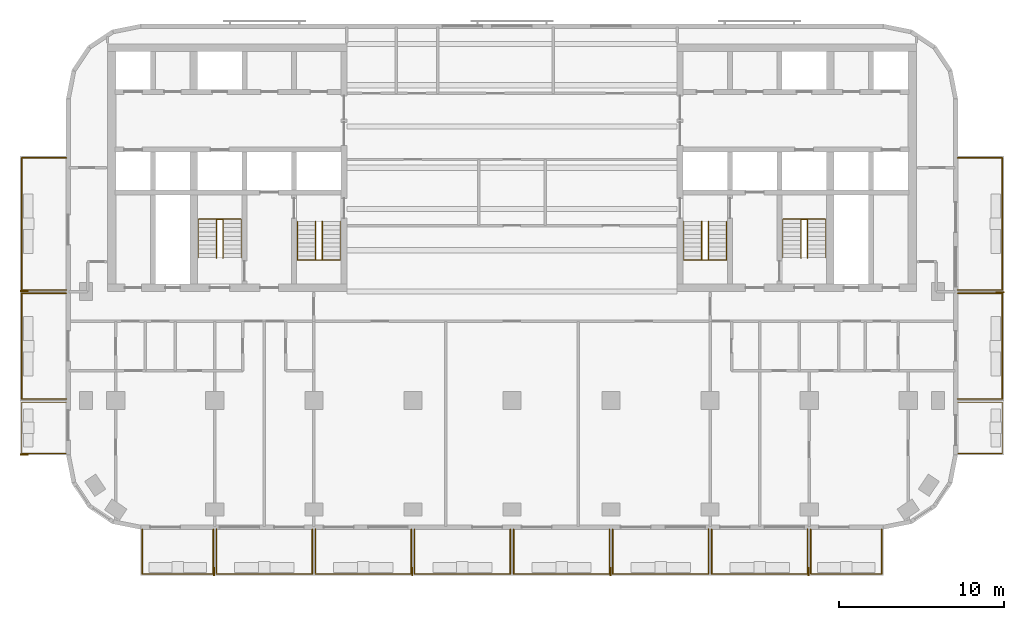
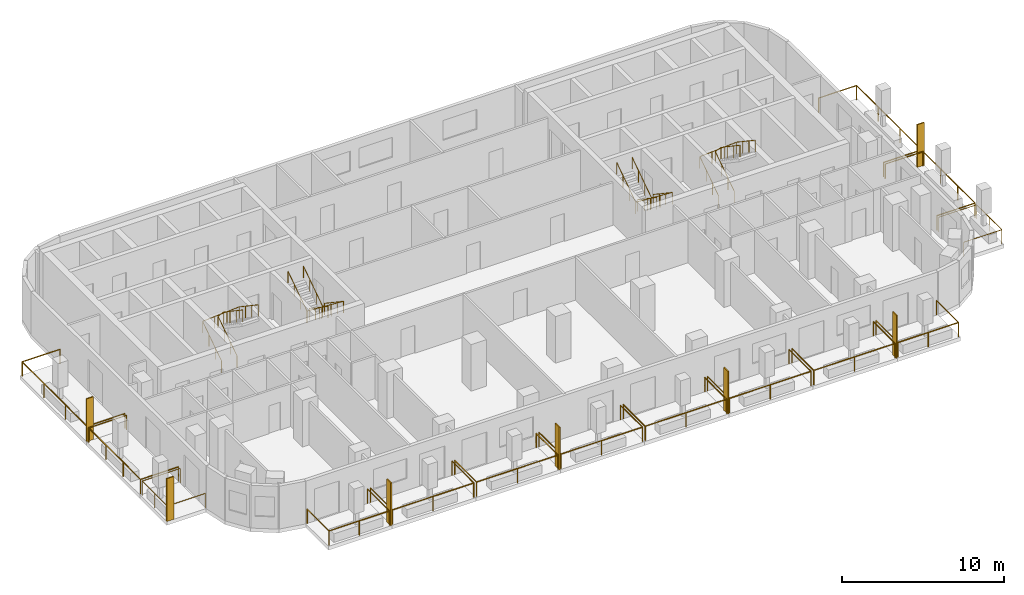
# One storey, part 9 of 11: 22 railings, 7 shading devices.
"""IFC4 building model written with IfcOpenShell, lengths in metres."""

from ifc_helpers import new_model, si_unit, direction, frame, origin, origin_2d, place, context, subcontext, project, spatial, rectangle, circle, extrude, material, layer, layer_set, type_object, element, save


model = new_model("IFC4")

# Units and contexts
model_context = context("Model", 3, precision=1e-05, world=origin(), true_north=direction((0.0, 1.0)))
body_context = subcontext(model_context, "Body", "Model", "MODEL_VIEW")
ifc_project = project(units=[si_unit("LENGTHUNIT", "METRE"), si_unit("AREAUNIT", "SQUARE_METRE"), si_unit("VOLUMEUNIT", "CUBIC_METRE"), si_unit("PLANEANGLEUNIT", "RADIAN"), si_unit("MASSUNIT", "GRAM", prefix="KILO")], contexts=[model_context])

# Site, building, storey
site_placement = place(None, origin())
site = spatial("IfcSite", under=ifc_project, at=site_placement, CompositionType="ELEMENT")
building_placement = place(site_placement, origin())
building = spatial("IfcBuilding", under=site, at=building_placement, Name="Torana Hotel and Residences", CompositionType="ELEMENT")
storey_placement = place(building_placement, frame((0.0, 0.0, 187.10009765625)))
storey = spatial("IfcBuildingStorey", under=building, at=storey_placement, Name="L48", CompositionType="ELEMENT", Elevation=187.10009765625)

# Shading devices
ifc_material_1 = material(Name="Black powder coated aluminium", Category="aluminium")
ifc_layer = layer(ifc_material_1, 0.080078125)
ifc_layer_set = layer_set([ifc_layer], Name="FN1 VERTICAL FIN 500x80")
shading_device_type = type_object("IfcShadingDeviceType", Name="FN1 VERTICAL FIN 500x80", PredefinedType="USERDEFINED", material=ifc_layer_set)
for number, where, z_axis, x_axis, name in (
    (1, (-18.0400390625, -31.949951171875, 0.0), (0.0, 0.0, 1.0), (-1.0, 0.0, 0.0), "Fin 01"),
    (2, (-6.0400390625, -31.949951171875, 0.0), (0.0, 0.0, 1.0), (-1.0, 0.0, 0.0), "Fin 03"),
    (3, (5.9599609375, -31.949951171875, 0.0), (0.0, 0.0, 1.0), (-1.0, 0.0, 0.0), "Fin 05"),
    (4, (17.9599609375, -31.949951171875, 0.0), (0.0, 0.0, 1.0), (-1.0, 0.0, 0.0), "Fin 07"),
    (5, (-29.550048828125, -24.860107421875, 0.0), (0.0, 0.0, 1.0), (0.0, 1.0, 0.0), "Fin 09"),
    (6, (-29.550048828125, -14.9599609375, 0.0), (0.0, 0.0, 1.0), (0.0, 1.0, 0.0), "Fin 11"),
    (7, (29.550048828125, -15.0400390625, 0.0), (0.0, 0.0, 1.0), (0.0, -1.0, 0.0), "Fin 13"),
):
    element("IfcShadingDevice", number, at=place(storey_placement, frame(where, z_axis=z_axis, x_axis=x_axis)), inside=storey, type_object=shading_device_type, Name=name, ObjectType="FIN", PredefinedType="USERDEFINED", context=body_context, shape_type="SweptSolid", body=[
        extrude(rectangle(XDim=0.080078125, YDim=0.5, at=origin_2d()), origin(), (0.0, 0.0, 1.0), 3.219970703125),
    ])

# Railings
ifc_material_2 = material(Name="Laminated glass balustrade with black handrail", Category="glass")
railing_type_1 = type_object("IfcRailingType", Name="GR1 BALCONY GUARD 1100 GLASS", PredefinedType="GUARDRAIL", material=ifc_material_2)
railing_1_placement = place(storey_placement, frame((-18.10009765625, -29.39990234375, 0.0)))
element("IfcRailing", 8, at=railing_1_placement, inside=storey, type_object=railing_type_1, Name="Balcony guard 01", PredefinedType="GUARDRAIL", context=body_context, shape_type="SweptSolid", body=[
    extrude(circle(Radius=0.02392578125, at=origin_2d()), frame((0.0, 0.0, 1.076171875), z_axis=(0.0, -1.0, 0.0), x_axis=(1.0, 0.0, 0.0)), (0.0, 0.0, 1.0), 2.7001953125),
    extrude(circle(Radius=0.02392578125, at=origin_2d()), frame((0.0, -2.7001953125, 1.076171875), z_axis=(-1.0, 0.0, 0.0), x_axis=(0.0, -1.0, 0.0)), (0.0, 0.0, 1.0), 4.2998046875),
    extrude(circle(Radius=0.02392578125, at=origin_2d()), frame((-4.2998046875, -2.7001953125, 1.076171875), z_axis=(0.0, 1.0, 0.0), x_axis=(-1.0, 0.0, 0.0)), (0.0, 0.0, 1.0), 2.7001953125),
    extrude(circle(Radius=0.02099609375, at=origin_2d()), origin(), (0.0, 0.0, 1.0), 1.052001953125),
    extrude(circle(Radius=0.02099609375, at=origin_2d()), frame((0.0, -2.7001953125, 0.0)), (0.0, 0.0, 1.0), 1.052001953125),
    extrude(circle(Radius=0.02099609375, at=origin_2d()), frame((-2.14990234375, -2.7001953125, 0.0)), (0.0, 0.0, 1.0), 1.052001953125),
    extrude(circle(Radius=0.02099609375, at=origin_2d()), frame((-4.2998046875, -2.7001953125, 0.0)), (0.0, 0.0, 1.0), 1.052001953125),
    extrude(circle(Radius=0.02099609375, at=origin_2d()), frame((-4.2998046875, 0.0, 0.0)), (0.0, 0.0, 1.0), 1.052001953125),
])
for number, where, name in (
    (9, (-12.10009765625, -29.39990234375, 0.0), "Balcony guard 02"),
    (10, (-6.10009765625, -29.39990234375, 0.0), "Balcony guard 03"),
    (11, (-0.10009765625, -29.39990234375, 0.0), "Balcony guard 04"),
    (12, (5.89990234375, -29.39990234375, 0.0), "Balcony guard 05"),
    (13, (11.89990234375, -29.39990234375, 0.0), "Balcony guard 06"),
    (14, (17.89990234375, -29.39990234375, 0.0), "Balcony guard 07"),
):
    element("IfcRailing", number, at=place(storey_placement, frame(where)), inside=storey, type_object=railing_type_1, Name=name, PredefinedType="GUARDRAIL", context=body_context, shape_type="SweptSolid", body=[
        extrude(circle(Radius=0.02392578125, at=origin_2d()), frame((0.0, 0.0, 1.076171875), z_axis=(0.0, -1.0, 0.0), x_axis=(1.0, 0.0, 0.0)), (0.0, 0.0, 1.0), 2.7001953125),
        extrude(circle(Radius=0.02392578125, at=origin_2d()), frame((0.0, -2.7001953125, 1.076171875), z_axis=(-1.0, 0.0, 0.0), x_axis=(0.0, -1.0, 0.0)), (0.0, 0.0, 1.0), 5.7998046875),
        extrude(circle(Radius=0.02392578125, at=origin_2d()), frame((-5.7998046875, -2.7001953125, 1.076171875), z_axis=(0.0, 1.0, 0.0), x_axis=(-1.0, 0.0, 0.0)), (0.0, 0.0, 1.0), 2.7001953125),
        extrude(circle(Radius=0.02099609375, at=origin_2d()), origin(), (0.0, 0.0, 1.0), 1.052001953125),
        extrude(circle(Radius=0.02099609375, at=origin_2d()), frame((0.0, -2.7001953125, 0.0)), (0.0, 0.0, 1.0), 1.052001953125),
        extrude(circle(Radius=0.02099609375, at=origin_2d()), frame((-2.89990234375, -2.7001953125, 0.0)), (0.0, 0.0, 1.0), 1.052001953125),
        extrude(circle(Radius=0.02099609375, at=origin_2d()), frame((-5.7998046875, -2.7001953125, 0.0)), (0.0, 0.0, 1.0), 1.052001953125),
        extrude(circle(Radius=0.02099609375, at=origin_2d()), frame((-5.7998046875, 0.0, 0.0)), (0.0, 0.0, 1.0), 1.052001953125),
    ])
railing_2_placement = place(storey_placement, frame((22.39990234375, -29.39990234375, 0.0)))
element("IfcRailing", 15, at=railing_2_placement, inside=storey, type_object=railing_type_1, Name="Balcony guard 08", PredefinedType="GUARDRAIL", context=body_context, shape_type="SweptSolid", body=[
    extrude(circle(Radius=0.02392578125, at=origin_2d()), frame((0.0, 0.0, 1.076171875), z_axis=(0.0, -1.0, 0.0), x_axis=(1.0, 0.0, 0.0)), (0.0, 0.0, 1.0), 2.7001953125),
    extrude(circle(Radius=0.02392578125, at=origin_2d()), frame((0.0, -2.7001953125, 1.076171875), z_axis=(-1.0, 0.0, 0.0), x_axis=(0.0, -1.0, 0.0)), (0.0, 0.0, 1.0), 4.2998046875),
    extrude(circle(Radius=0.02392578125, at=origin_2d()), frame((-4.2998046875, -2.7001953125, 1.076171875), z_axis=(0.0, 1.0, 0.0), x_axis=(-1.0, 0.0, 0.0)), (0.0, 0.0, 1.0), 2.7001953125),
    extrude(circle(Radius=0.02099609375, at=origin_2d()), origin(), (0.0, 0.0, 1.0), 1.052001953125),
    extrude(circle(Radius=0.02099609375, at=origin_2d()), frame((0.0, -2.7001953125, 0.0)), (0.0, 0.0, 1.0), 1.052001953125),
    extrude(circle(Radius=0.02099609375, at=origin_2d()), frame((-2.14990234375, -2.7001953125, 0.0)), (0.0, 0.0, 1.0), 1.052001953125),
    extrude(circle(Radius=0.02099609375, at=origin_2d()), frame((-4.2998046875, -2.7001953125, 0.0)), (0.0, 0.0, 1.0), 1.052001953125),
    extrude(circle(Radius=0.02099609375, at=origin_2d()), frame((-4.2998046875, 0.0, 0.0)), (0.0, 0.0, 1.0), 1.052001953125),
])
railing_3_placement = place(storey_placement, frame((-27.0, -24.800048828125, 0.0)))
element("IfcRailing", 16, at=railing_3_placement, inside=storey, type_object=railing_type_1, Name="Balcony guard 09", PredefinedType="GUARDRAIL", context=body_context, shape_type="SweptSolid", body=[
    extrude(circle(Radius=0.02392578125, at=origin_2d()), frame((0.0, 0.0, 1.076171875), z_axis=(-1.0, 0.0, 0.0), x_axis=(0.0, -1.0, 0.0)), (0.0, 0.0, 1.0), 2.699951171875),
    extrude(circle(Radius=0.02392578125, at=origin_2d()), frame((-2.699951171875, 0.0, 1.076171875), z_axis=(0.0, 1.0, 0.0), x_axis=(-1.0, 0.0, 0.0)), (0.0, 0.0, 1.0), 3.10009765625),
    extrude(circle(Radius=0.02392578125, at=origin_2d()), frame((-2.699951171875, 3.10009765625, 1.076171875), z_axis=(1.0, 0.0, 0.0), x_axis=(0.0, 1.0, 0.0)), (0.0, 0.0, 1.0), 2.699951171875),
    extrude(circle(Radius=0.02099609375, at=origin_2d()), origin(), (0.0, 0.0, 1.0), 1.052001953125),
    extrude(circle(Radius=0.02099609375, at=origin_2d()), frame((-2.699951171875, 0.0, 0.0)), (0.0, 0.0, 1.0), 1.052001953125),
    extrude(circle(Radius=0.02099609375, at=origin_2d()), frame((-2.699951171875, 1.550048828125, 0.0)), (0.0, 0.0, 1.0), 1.052001953125),
    extrude(circle(Radius=0.02099609375, at=origin_2d()), frame((-2.699951171875, 3.10009765625, 0.0)), (0.0, 0.0, 1.0), 1.052001953125),
    extrude(circle(Radius=0.02099609375, at=origin_2d()), frame((0.0, 3.10009765625, 0.0)), (0.0, 0.0, 1.0), 1.052001953125),
])
railing_4_placement = place(storey_placement, frame((-27.0, -21.5, 0.0)))
element("IfcRailing", 17, at=railing_4_placement, inside=storey, type_object=railing_type_1, Name="Balcony guard 10", PredefinedType="GUARDRAIL", context=body_context, shape_type="SweptSolid", body=[
    extrude(circle(Radius=0.02392578125, at=origin_2d()), frame((0.0, 0.0, 1.076171875), z_axis=(-1.0, 0.0, 0.0), x_axis=(0.0, -1.0, 0.0)), (0.0, 0.0, 1.0), 2.699951171875),
    extrude(circle(Radius=0.02392578125, at=origin_2d()), frame((-2.699951171875, 0.0, 1.076171875), z_axis=(0.0, 1.0, 0.0), x_axis=(-1.0, 0.0, 0.0)), (0.0, 0.0, 1.0), 6.39990234375),
    extrude(circle(Radius=0.02392578125, at=origin_2d()), frame((-2.699951171875, 6.39990234375, 1.076171875), z_axis=(1.0, 0.0, 0.0), x_axis=(0.0, 1.0, 0.0)), (0.0, 0.0, 1.0), 2.699951171875),
    extrude(circle(Radius=0.02099609375, at=origin_2d()), origin(), (0.0, 0.0, 1.0), 1.052001953125),
    extrude(circle(Radius=0.02099609375, at=origin_2d()), frame((-2.699951171875, 0.0, 0.0)), (0.0, 0.0, 1.0), 1.052001953125),
    extrude(circle(Radius=0.02099609375, at=origin_2d()), frame((-2.699951171875, 2.13330078125, 0.0)), (0.0, 0.0, 1.0), 1.052001953125),
    extrude(circle(Radius=0.02099609375, at=origin_2d()), frame((-2.699951171875, 4.2666015625, 0.0)), (0.0, 0.0, 1.0), 1.052001953125),
    extrude(circle(Radius=0.02099609375, at=origin_2d()), frame((-2.699951171875, 6.39990234375, 0.0)), (0.0, 0.0, 1.0), 1.052001953125),
    extrude(circle(Radius=0.02099609375, at=origin_2d()), frame((0.0, 6.39990234375, 0.0)), (0.0, 0.0, 1.0), 1.052001953125),
])
railing_5_placement = place(storey_placement, frame((-27.0, -14.89990234375, 0.0)))
element("IfcRailing", 18, at=railing_5_placement, inside=storey, type_object=railing_type_1, Name="Balcony guard 11", PredefinedType="GUARDRAIL", context=body_context, shape_type="SweptSolid", body=[
    extrude(circle(Radius=0.02392578125, at=origin_2d()), frame((0.0, 0.0, 1.076171875), z_axis=(-1.0, 0.0, 0.0), x_axis=(0.0, -1.0, 0.0)), (0.0, 0.0, 1.0), 2.699951171875),
    extrude(circle(Radius=0.02392578125, at=origin_2d()), frame((-2.699951171875, 0.0, 1.076171875), z_axis=(0.0, 1.0, 0.0), x_axis=(-1.0, 0.0, 0.0)), (0.0, 0.0, 1.0), 8.0),
    extrude(circle(Radius=0.02392578125, at=origin_2d()), frame((-2.699951171875, 8.0, 1.076171875), z_axis=(1.0, 0.0, 0.0), x_axis=(0.0, 1.0, 0.0)), (0.0, 0.0, 1.0), 2.699951171875),
    extrude(circle(Radius=0.02099609375, at=origin_2d()), origin(), (0.0, 0.0, 1.0), 1.052001953125),
    extrude(circle(Radius=0.02099609375, at=origin_2d()), frame((-2.699951171875, 0.0, 0.0)), (0.0, 0.0, 1.0), 1.052001953125),
    extrude(circle(Radius=0.02099609375, at=origin_2d()), frame((-2.699951171875, 2.666748046875, 0.0)), (0.0, 0.0, 1.0), 1.052001953125),
    extrude(circle(Radius=0.02099609375, at=origin_2d()), frame((-2.699951171875, 5.333251953125, 0.0)), (0.0, 0.0, 1.0), 1.052001953125),
    extrude(circle(Radius=0.02099609375, at=origin_2d()), frame((-2.699951171875, 8.0, 0.0)), (0.0, 0.0, 1.0), 1.052001953125),
    extrude(circle(Radius=0.02099609375, at=origin_2d()), frame((0.0, 8.0, 0.0)), (0.0, 0.0, 1.0), 1.052001953125),
])
railing_6_placement = place(storey_placement, frame((27.0, -21.699951171875, 0.0)))
element("IfcRailing", 19, at=railing_6_placement, inside=storey, type_object=railing_type_1, Name="Balcony guard 12", PredefinedType="GUARDRAIL", context=body_context, shape_type="SweptSolid", body=[
    extrude(circle(Radius=0.02392578125, at=origin_2d()), frame((0.0, 0.0, 1.076171875), z_axis=(1.0, 0.0, 0.0), x_axis=(0.0, 1.0, 0.0)), (0.0, 0.0, 1.0), 2.699951171875),
    extrude(circle(Radius=0.02392578125, at=origin_2d()), frame((2.699951171875, 0.0, 1.076171875), z_axis=(0.0, -1.0, 0.0), x_axis=(1.0, 0.0, 0.0)), (0.0, 0.0, 1.0), 3.10009765625),
    extrude(circle(Radius=0.02392578125, at=origin_2d()), frame((2.699951171875, -3.10009765625, 1.076171875), z_axis=(-1.0, 0.0, 0.0), x_axis=(0.0, -1.0, 0.0)), (0.0, 0.0, 1.0), 2.699951171875),
    extrude(circle(Radius=0.02099609375, at=origin_2d()), origin(), (0.0, 0.0, 1.0), 1.052001953125),
    extrude(circle(Radius=0.02099609375, at=origin_2d()), frame((2.699951171875, 0.0, 0.0)), (0.0, 0.0, 1.0), 1.052001953125),
    extrude(circle(Radius=0.02099609375, at=origin_2d()), frame((2.699951171875, -1.550048828125, 0.0)), (0.0, 0.0, 1.0), 1.052001953125),
    extrude(circle(Radius=0.02099609375, at=origin_2d()), frame((2.699951171875, -3.10009765625, 0.0)), (0.0, 0.0, 1.0), 1.052001953125),
    extrude(circle(Radius=0.02099609375, at=origin_2d()), frame((0.0, -3.10009765625, 0.0)), (0.0, 0.0, 1.0), 1.052001953125),
])
railing_7_placement = place(storey_placement, frame((27.0, -15.10009765625, 0.0)))
element("IfcRailing", 20, at=railing_7_placement, inside=storey, type_object=railing_type_1, Name="Balcony guard 13", PredefinedType="GUARDRAIL", context=body_context, shape_type="SweptSolid", body=[
    extrude(circle(Radius=0.02392578125, at=origin_2d()), frame((0.0, 0.0, 1.076171875), z_axis=(1.0, 0.0, 0.0), x_axis=(0.0, 1.0, 0.0)), (0.0, 0.0, 1.0), 2.699951171875),
    extrude(circle(Radius=0.02392578125, at=origin_2d()), frame((2.699951171875, 0.0, 1.076171875), z_axis=(0.0, -1.0, 0.0), x_axis=(1.0, 0.0, 0.0)), (0.0, 0.0, 1.0), 6.39990234375),
    extrude(circle(Radius=0.02392578125, at=origin_2d()), frame((2.699951171875, -6.39990234375, 1.076171875), z_axis=(-1.0, 0.0, 0.0), x_axis=(0.0, -1.0, 0.0)), (0.0, 0.0, 1.0), 2.699951171875),
    extrude(circle(Radius=0.02099609375, at=origin_2d()), origin(), (0.0, 0.0, 1.0), 1.052001953125),
    extrude(circle(Radius=0.02099609375, at=origin_2d()), frame((2.699951171875, 0.0, 0.0)), (0.0, 0.0, 1.0), 1.052001953125),
    extrude(circle(Radius=0.02099609375, at=origin_2d()), frame((2.699951171875, -2.13330078125, 0.0)), (0.0, 0.0, 1.0), 1.052001953125),
    extrude(circle(Radius=0.02099609375, at=origin_2d()), frame((2.699951171875, -4.2666015625, 0.0)), (0.0, 0.0, 1.0), 1.052001953125),
    extrude(circle(Radius=0.02099609375, at=origin_2d()), frame((2.699951171875, -6.39990234375, 0.0)), (0.0, 0.0, 1.0), 1.052001953125),
    extrude(circle(Radius=0.02099609375, at=origin_2d()), frame((0.0, -6.39990234375, 0.0)), (0.0, 0.0, 1.0), 1.052001953125),
])
railing_8_placement = place(storey_placement, frame((27.0, -6.89990234375, 0.0)))
element("IfcRailing", 21, at=railing_8_placement, inside=storey, type_object=railing_type_1, Name="Balcony guard 14", PredefinedType="GUARDRAIL", context=body_context, shape_type="SweptSolid", body=[
    extrude(circle(Radius=0.02392578125, at=origin_2d()), frame((0.0, 0.0, 1.076171875), z_axis=(1.0, 0.0, 0.0), x_axis=(0.0, 1.0, 0.0)), (0.0, 0.0, 1.0), 2.699951171875),
    extrude(circle(Radius=0.02392578125, at=origin_2d()), frame((2.699951171875, 0.0, 1.076171875), z_axis=(0.0, -1.0, 0.0), x_axis=(1.0, 0.0, 0.0)), (0.0, 0.0, 1.0), 8.0),
    extrude(circle(Radius=0.02392578125, at=origin_2d()), frame((2.699951171875, -8.0, 1.076171875), z_axis=(-1.0, 0.0, 0.0), x_axis=(0.0, -1.0, 0.0)), (0.0, 0.0, 1.0), 2.699951171875),
    extrude(circle(Radius=0.02099609375, at=origin_2d()), origin(), (0.0, 0.0, 1.0), 1.052001953125),
    extrude(circle(Radius=0.02099609375, at=origin_2d()), frame((2.699951171875, 0.0, 0.0)), (0.0, 0.0, 1.0), 1.052001953125),
    extrude(circle(Radius=0.02099609375, at=origin_2d()), frame((2.699951171875, -2.666748046875, 0.0)), (0.0, 0.0, 1.0), 1.052001953125),
    extrude(circle(Radius=0.02099609375, at=origin_2d()), frame((2.699951171875, -5.333251953125, 0.0)), (0.0, 0.0, 1.0), 1.052001953125),
    extrude(circle(Radius=0.02099609375, at=origin_2d()), frame((2.699951171875, -8.0, 0.0)), (0.0, 0.0, 1.0), 1.052001953125),
    extrude(circle(Radius=0.02099609375, at=origin_2d()), frame((0.0, -8.0, 0.0)), (0.0, 0.0, 1.0), 1.052001953125),
])
ifc_material_3 = material(Name="Stainless steel 316", Category="steel")
railing_type_2 = type_object("IfcRailingType", Name="STAIR HANDRAIL HR1 900", PredefinedType="HANDRAIL", material=ifc_material_3)
railing_9_placement = place(storey_placement, frame((-10.39990234375, -10.75, 0.1748046875)))
element("IfcRailing", 22, at=railing_9_placement, inside=storey, type_object=railing_type_2, Name="Handrail ST1 L48 O1", PredefinedType="HANDRAIL", context=body_context, shape_type="SweptSolid", body=[
    extrude(circle(Radius=0.02392578125, at=origin_2d()), frame((0.0, 0.0, 0.8759765625), z_axis=(0.0, -0.829565388462, 0.558409586474), x_axis=(1.0, 0.0, 0.0)), (0.0, 0.0, 1.0), 2.82080078125),
    extrude(circle(Radius=0.02392578125, at=origin_2d()), frame((0.0, -2.340087890625, 2.451171875), z_axis=(-0.997747692642, 0.0, 0.067078624219), x_axis=(0.0, -1.0, 0.0)), (0.0, 0.0, 1.0), 2.60595703125),
    extrude(circle(Radius=0.02392578125, at=origin_2d()), frame((-2.60009765625, -2.340087890625, 2.6259765625), z_axis=(0.0, 0.829565388462, 0.558409586474), x_axis=(-1.0, 0.0, 0.0)), (0.0, 0.0, 1.0), 2.82080078125),
    extrude(circle(Radius=0.02099609375, at=origin_2d()), origin(), (0.0, 0.0, 1.0), 0.851806640625),
    extrude(circle(Radius=0.02099609375, at=origin_2d()), frame((0.0, -0.780029296875, 0.525146484375)), (0.0, 0.0, 1.0), 0.851806640625),
    extrude(circle(Radius=0.02099609375, at=origin_2d()), frame((0.0, -1.56005859375, 1.050048828125)), (0.0, 0.0, 1.0), 0.851806640625),
    extrude(circle(Radius=0.02099609375, at=origin_2d()), frame((0.0, -2.340087890625, 1.5751953125)), (0.0, 0.0, 1.0), 0.851806640625),
    extrude(circle(Radius=0.02099609375, at=origin_2d()), frame((-0.86669921875, -2.340087890625, 1.633544921875)), (0.0, 0.0, 1.0), 0.851806640625),
    extrude(circle(Radius=0.02099609375, at=origin_2d()), frame((-1.7333984375, -2.340087890625, 1.691650390625)), (0.0, 0.0, 1.0), 0.851806640625),
    extrude(circle(Radius=0.02099609375, at=origin_2d()), frame((-2.60009765625, -2.340087890625, 1.75)), (0.0, 0.0, 1.0), 0.851806640625),
    extrude(circle(Radius=0.02099609375, at=origin_2d()), frame((-2.60009765625, -1.56005859375, 2.275146484375)), (0.0, 0.0, 1.0), 0.851806640625),
    extrude(circle(Radius=0.02099609375, at=origin_2d()), frame((-2.60009765625, -0.780029296875, 2.800048828125)), (0.0, 0.0, 1.0), 0.851806640625),
    extrude(circle(Radius=0.02099609375, at=origin_2d()), frame((-2.60009765625, 0.0, 3.3251953125)), (0.0, 0.0, 1.0), 0.851806640625),
])
railing_10_placement = place(storey_placement, frame((-11.5, -10.75, 0.1748046875)))
element("IfcRailing", 23, at=railing_10_placement, inside=storey, type_object=railing_type_2, Name="Handrail ST1 L48 I1", PredefinedType="HANDRAIL", context=body_context, shape_type="SweptSolid", body=[
    extrude(circle(Radius=0.02392578125, at=origin_2d()), frame((0.0, 0.0, 0.8759765625), z_axis=(0.0, -0.829565388462, 0.558409586474), x_axis=(1.0, 0.0, 0.0)), (0.0, 0.0, 1.0), 2.82080078125),
    extrude(circle(Radius=0.02392578125, at=origin_2d()), frame((0.0, -2.340087890625, 2.451171875), z_axis=(-0.916285673175, 0.0, 0.400525361412), x_axis=(0.0, -1.0, 0.0)), (0.0, 0.0, 1.0), 0.4365234375),
    extrude(circle(Radius=0.02392578125, at=origin_2d()), frame((-0.39990234375, -2.340087890625, 2.6259765625), z_axis=(0.0, 0.829565388462, 0.558409586474), x_axis=(-1.0, 0.0, 0.0)), (0.0, 0.0, 1.0), 2.82080078125),
    extrude(circle(Radius=0.02099609375, at=origin_2d()), origin(), (0.0, 0.0, 1.0), 0.851806640625),
    extrude(circle(Radius=0.02099609375, at=origin_2d()), frame((0.0, -0.780029296875, 0.525146484375)), (0.0, 0.0, 1.0), 0.851806640625),
    extrude(circle(Radius=0.02099609375, at=origin_2d()), frame((0.0, -1.56005859375, 1.050048828125)), (0.0, 0.0, 1.0), 0.851806640625),
    extrude(circle(Radius=0.02099609375, at=origin_2d()), frame((0.0, -2.340087890625, 1.5751953125)), (0.0, 0.0, 1.0), 0.851806640625),
    extrude(circle(Radius=0.02099609375, at=origin_2d()), frame((-0.39990234375, -2.340087890625, 1.75)), (0.0, 0.0, 1.0), 0.851806640625),
    extrude(circle(Radius=0.02099609375, at=origin_2d()), frame((-0.39990234375, -1.56005859375, 2.275146484375)), (0.0, 0.0, 1.0), 0.851806640625),
    extrude(circle(Radius=0.02099609375, at=origin_2d()), frame((-0.39990234375, -0.780029296875, 2.800048828125)), (0.0, 0.0, 1.0), 0.851806640625),
    extrude(circle(Radius=0.02099609375, at=origin_2d()), frame((-0.39990234375, 0.0, 3.3251953125)), (0.0, 0.0, 1.0), 0.851806640625),
])
railing_11_placement = place(storey_placement, frame((-19.0, -12.949951171875, 0.1748046875)))
element("IfcRailing", 24, at=railing_11_placement, inside=storey, type_object=railing_type_2, Name="Handrail ST2 L48 O1", PredefinedType="HANDRAIL", context=body_context, shape_type="SweptSolid", body=[
    extrude(circle(Radius=0.02392578125, at=origin_2d()), frame((0.0, 0.0, 0.8759765625), z_axis=(0.0, 0.829538397957, 0.558449681095), x_axis=(-1.0, 0.0, 0.0)), (0.0, 0.0, 1.0), 2.820556640625),
    extrude(circle(Radius=0.02392578125, at=origin_2d()), frame((0.0, 2.33984375, 2.451171875), z_axis=(0.997747692642, 0.0, 0.067078624219), x_axis=(0.0, 1.0, 0.0)), (0.0, 0.0, 1.0), 2.60595703125),
    extrude(circle(Radius=0.02392578125, at=origin_2d()), frame((2.60009765625, 2.33984375, 2.6259765625), z_axis=(0.0, -0.829538397957, 0.558449681095), x_axis=(1.0, 0.0, 0.0)), (0.0, 0.0, 1.0), 2.820556640625),
    extrude(circle(Radius=0.02099609375, at=origin_2d()), origin(), (0.0, 0.0, 1.0), 0.851806640625),
    extrude(circle(Radius=0.02099609375, at=origin_2d()), frame((0.0, 0.780029296875, 0.525146484375)), (0.0, 0.0, 1.0), 0.851806640625),
    extrude(circle(Radius=0.02099609375, at=origin_2d()), frame((0.0, 1.559814453125, 1.050048828125)), (0.0, 0.0, 1.0), 0.851806640625),
    extrude(circle(Radius=0.02099609375, at=origin_2d()), frame((0.0, 2.33984375, 1.5751953125)), (0.0, 0.0, 1.0), 0.851806640625),
    extrude(circle(Radius=0.02099609375, at=origin_2d()), frame((0.86669921875, 2.33984375, 1.633544921875)), (0.0, 0.0, 1.0), 0.851806640625),
    extrude(circle(Radius=0.02099609375, at=origin_2d()), frame((1.7333984375, 2.33984375, 1.691650390625)), (0.0, 0.0, 1.0), 0.851806640625),
    extrude(circle(Radius=0.02099609375, at=origin_2d()), frame((2.60009765625, 2.33984375, 1.75)), (0.0, 0.0, 1.0), 0.851806640625),
    extrude(circle(Radius=0.02099609375, at=origin_2d()), frame((2.60009765625, 1.559814453125, 2.275146484375)), (0.0, 0.0, 1.0), 0.851806640625),
    extrude(circle(Radius=0.02099609375, at=origin_2d()), frame((2.60009765625, 0.780029296875, 2.800048828125)), (0.0, 0.0, 1.0), 0.851806640625),
    extrude(circle(Radius=0.02099609375, at=origin_2d()), frame((2.60009765625, 0.0, 3.3251953125)), (0.0, 0.0, 1.0), 0.851806640625),
])
railing_12_placement = place(storey_placement, frame((-17.89990234375, -12.949951171875, 0.1748046875)))
element("IfcRailing", 25, at=railing_12_placement, inside=storey, type_object=railing_type_2, Name="Handrail ST2 L48 I1", PredefinedType="HANDRAIL", context=body_context, shape_type="SweptSolid", body=[
    extrude(circle(Radius=0.02392578125, at=origin_2d()), frame((0.0, 0.0, 0.8759765625), z_axis=(0.0, 0.829538397957, 0.558449681095), x_axis=(-1.0, 0.0, 0.0)), (0.0, 0.0, 1.0), 2.820556640625),
    extrude(circle(Radius=0.02392578125, at=origin_2d()), frame((0.0, 2.33984375, 2.451171875), z_axis=(0.916285673175, 0.0, 0.400525361412), x_axis=(0.0, 1.0, 0.0)), (0.0, 0.0, 1.0), 0.4365234375),
    extrude(circle(Radius=0.02392578125, at=origin_2d()), frame((0.39990234375, 2.33984375, 2.6259765625), z_axis=(0.0, -0.829538397957, 0.558449681095), x_axis=(1.0, 0.0, 0.0)), (0.0, 0.0, 1.0), 2.820556640625),
    extrude(circle(Radius=0.02099609375, at=origin_2d()), origin(), (0.0, 0.0, 1.0), 0.851806640625),
    extrude(circle(Radius=0.02099609375, at=origin_2d()), frame((0.0, 0.780029296875, 0.525146484375)), (0.0, 0.0, 1.0), 0.851806640625),
    extrude(circle(Radius=0.02099609375, at=origin_2d()), frame((0.0, 1.559814453125, 1.050048828125)), (0.0, 0.0, 1.0), 0.851806640625),
    extrude(circle(Radius=0.02099609375, at=origin_2d()), frame((0.0, 2.33984375, 1.5751953125)), (0.0, 0.0, 1.0), 0.851806640625),
    extrude(circle(Radius=0.02099609375, at=origin_2d()), frame((0.39990234375, 2.33984375, 1.75)), (0.0, 0.0, 1.0), 0.851806640625),
    extrude(circle(Radius=0.02099609375, at=origin_2d()), frame((0.39990234375, 1.559814453125, 2.275146484375)), (0.0, 0.0, 1.0), 0.851806640625),
    extrude(circle(Radius=0.02099609375, at=origin_2d()), frame((0.39990234375, 0.780029296875, 2.800048828125)), (0.0, 0.0, 1.0), 0.851806640625),
    extrude(circle(Radius=0.02099609375, at=origin_2d()), frame((0.39990234375, 0.0, 3.3251953125)), (0.0, 0.0, 1.0), 0.851806640625),
])
railing_13_placement = place(storey_placement, frame((13.0, -10.75, 0.1748046875)))
element("IfcRailing", 26, at=railing_13_placement, inside=storey, type_object=railing_type_2, Name="Handrail ST3 L48 O1", PredefinedType="HANDRAIL", context=body_context, shape_type="SweptSolid", body=[
    extrude(circle(Radius=0.02392578125, at=origin_2d()), frame((0.0, 0.0, 0.8759765625), z_axis=(0.0, -0.829565388462, 0.558409586474), x_axis=(1.0, 0.0, 0.0)), (0.0, 0.0, 1.0), 2.82080078125),
    extrude(circle(Radius=0.02392578125, at=origin_2d()), frame((0.0, -2.340087890625, 2.451171875), z_axis=(-0.997747692642, 0.0, 0.067078624219), x_axis=(0.0, -1.0, 0.0)), (0.0, 0.0, 1.0), 2.60595703125),
    extrude(circle(Radius=0.02392578125, at=origin_2d()), frame((-2.60009765625, -2.340087890625, 2.6259765625), z_axis=(0.0, 0.829565388462, 0.558409586474), x_axis=(-1.0, 0.0, 0.0)), (0.0, 0.0, 1.0), 2.82080078125),
    extrude(circle(Radius=0.02099609375, at=origin_2d()), origin(), (0.0, 0.0, 1.0), 0.851806640625),
    extrude(circle(Radius=0.02099609375, at=origin_2d()), frame((0.0, -0.780029296875, 0.525146484375)), (0.0, 0.0, 1.0), 0.851806640625),
    extrude(circle(Radius=0.02099609375, at=origin_2d()), frame((0.0, -1.56005859375, 1.050048828125)), (0.0, 0.0, 1.0), 0.851806640625),
    extrude(circle(Radius=0.02099609375, at=origin_2d()), frame((0.0, -2.340087890625, 1.5751953125)), (0.0, 0.0, 1.0), 0.851806640625),
    extrude(circle(Radius=0.02099609375, at=origin_2d()), frame((-0.86669921875, -2.340087890625, 1.633544921875)), (0.0, 0.0, 1.0), 0.851806640625),
    extrude(circle(Radius=0.02099609375, at=origin_2d()), frame((-1.7333984375, -2.340087890625, 1.691650390625)), (0.0, 0.0, 1.0), 0.851806640625),
    extrude(circle(Radius=0.02099609375, at=origin_2d()), frame((-2.60009765625, -2.340087890625, 1.75)), (0.0, 0.0, 1.0), 0.851806640625),
    extrude(circle(Radius=0.02099609375, at=origin_2d()), frame((-2.60009765625, -1.56005859375, 2.275146484375)), (0.0, 0.0, 1.0), 0.851806640625),
    extrude(circle(Radius=0.02099609375, at=origin_2d()), frame((-2.60009765625, -0.780029296875, 2.800048828125)), (0.0, 0.0, 1.0), 0.851806640625),
    extrude(circle(Radius=0.02099609375, at=origin_2d()), frame((-2.60009765625, 0.0, 3.3251953125)), (0.0, 0.0, 1.0), 0.851806640625),
])
railing_14_placement = place(storey_placement, frame((11.89990234375, -10.75, 0.1748046875)))
element("IfcRailing", 27, at=railing_14_placement, inside=storey, type_object=railing_type_2, Name="Handrail ST3 L48 I1", PredefinedType="HANDRAIL", context=body_context, shape_type="SweptSolid", body=[
    extrude(circle(Radius=0.02392578125, at=origin_2d()), frame((0.0, 0.0, 0.8759765625), z_axis=(0.0, -0.829565388462, 0.558409586474), x_axis=(1.0, 0.0, 0.0)), (0.0, 0.0, 1.0), 2.82080078125),
    extrude(circle(Radius=0.02392578125, at=origin_2d()), frame((0.0, -2.340087890625, 2.451171875), z_axis=(-0.916285673175, 0.0, 0.400525361412), x_axis=(0.0, -1.0, 0.0)), (0.0, 0.0, 1.0), 0.4365234375),
    extrude(circle(Radius=0.02392578125, at=origin_2d()), frame((-0.39990234375, -2.340087890625, 2.6259765625), z_axis=(0.0, 0.829565388462, 0.558409586474), x_axis=(-1.0, 0.0, 0.0)), (0.0, 0.0, 1.0), 2.82080078125),
    extrude(circle(Radius=0.02099609375, at=origin_2d()), origin(), (0.0, 0.0, 1.0), 0.851806640625),
    extrude(circle(Radius=0.02099609375, at=origin_2d()), frame((0.0, -0.780029296875, 0.525146484375)), (0.0, 0.0, 1.0), 0.851806640625),
    extrude(circle(Radius=0.02099609375, at=origin_2d()), frame((0.0, -1.56005859375, 1.050048828125)), (0.0, 0.0, 1.0), 0.851806640625),
    extrude(circle(Radius=0.02099609375, at=origin_2d()), frame((0.0, -2.340087890625, 1.5751953125)), (0.0, 0.0, 1.0), 0.851806640625),
    extrude(circle(Radius=0.02099609375, at=origin_2d()), frame((-0.39990234375, -2.340087890625, 1.75)), (0.0, 0.0, 1.0), 0.851806640625),
    extrude(circle(Radius=0.02099609375, at=origin_2d()), frame((-0.39990234375, -1.56005859375, 2.275146484375)), (0.0, 0.0, 1.0), 0.851806640625),
    extrude(circle(Radius=0.02099609375, at=origin_2d()), frame((-0.39990234375, -0.780029296875, 2.800048828125)), (0.0, 0.0, 1.0), 0.851806640625),
    extrude(circle(Radius=0.02099609375, at=origin_2d()), frame((-0.39990234375, 0.0, 3.3251953125)), (0.0, 0.0, 1.0), 0.851806640625),
])
railing_15_placement = place(storey_placement, frame((16.39990234375, -12.949951171875, 0.1748046875)))
element("IfcRailing", 28, at=railing_15_placement, inside=storey, type_object=railing_type_2, Name="Handrail ST4 L48 O1", PredefinedType="HANDRAIL", context=body_context, shape_type="SweptSolid", body=[
    extrude(circle(Radius=0.02392578125, at=origin_2d()), frame((0.0, 0.0, 0.8759765625), z_axis=(0.0, 0.829538397957, 0.558449681095), x_axis=(-1.0, 0.0, 0.0)), (0.0, 0.0, 1.0), 2.820556640625),
    extrude(circle(Radius=0.02392578125, at=origin_2d()), frame((0.0, 2.33984375, 2.451171875), z_axis=(0.997747692642, 0.0, 0.067078624219), x_axis=(0.0, 1.0, 0.0)), (0.0, 0.0, 1.0), 2.60595703125),
    extrude(circle(Radius=0.02392578125, at=origin_2d()), frame((2.60009765625, 2.33984375, 2.6259765625), z_axis=(0.0, -0.829538397957, 0.558449681095), x_axis=(1.0, 0.0, 0.0)), (0.0, 0.0, 1.0), 2.820556640625),
    extrude(circle(Radius=0.02099609375, at=origin_2d()), origin(), (0.0, 0.0, 1.0), 0.851806640625),
    extrude(circle(Radius=0.02099609375, at=origin_2d()), frame((0.0, 0.780029296875, 0.525146484375)), (0.0, 0.0, 1.0), 0.851806640625),
    extrude(circle(Radius=0.02099609375, at=origin_2d()), frame((0.0, 1.559814453125, 1.050048828125)), (0.0, 0.0, 1.0), 0.851806640625),
    extrude(circle(Radius=0.02099609375, at=origin_2d()), frame((0.0, 2.33984375, 1.5751953125)), (0.0, 0.0, 1.0), 0.851806640625),
    extrude(circle(Radius=0.02099609375, at=origin_2d()), frame((0.86669921875, 2.33984375, 1.633544921875)), (0.0, 0.0, 1.0), 0.851806640625),
    extrude(circle(Radius=0.02099609375, at=origin_2d()), frame((1.7333984375, 2.33984375, 1.691650390625)), (0.0, 0.0, 1.0), 0.851806640625),
    extrude(circle(Radius=0.02099609375, at=origin_2d()), frame((2.60009765625, 2.33984375, 1.75)), (0.0, 0.0, 1.0), 0.851806640625),
    extrude(circle(Radius=0.02099609375, at=origin_2d()), frame((2.60009765625, 1.559814453125, 2.275146484375)), (0.0, 0.0, 1.0), 0.851806640625),
    extrude(circle(Radius=0.02099609375, at=origin_2d()), frame((2.60009765625, 0.780029296875, 2.800048828125)), (0.0, 0.0, 1.0), 0.851806640625),
    extrude(circle(Radius=0.02099609375, at=origin_2d()), frame((2.60009765625, 0.0, 3.3251953125)), (0.0, 0.0, 1.0), 0.851806640625),
])
railing_16_placement = place(storey_placement, frame((17.5, -12.949951171875, 0.1748046875)))
element("IfcRailing", 29, at=railing_16_placement, inside=storey, type_object=railing_type_2, Name="Handrail ST4 L48 I1", PredefinedType="HANDRAIL", context=body_context, shape_type="SweptSolid", body=[
    extrude(circle(Radius=0.02392578125, at=origin_2d()), frame((0.0, 0.0, 0.8759765625), z_axis=(0.0, 0.829538397957, 0.558449681095), x_axis=(-1.0, 0.0, 0.0)), (0.0, 0.0, 1.0), 2.820556640625),
    extrude(circle(Radius=0.02392578125, at=origin_2d()), frame((0.0, 2.33984375, 2.451171875), z_axis=(0.916285673175, 0.0, 0.400525361412), x_axis=(0.0, 1.0, 0.0)), (0.0, 0.0, 1.0), 0.4365234375),
    extrude(circle(Radius=0.02392578125, at=origin_2d()), frame((0.39990234375, 2.33984375, 2.6259765625), z_axis=(0.0, -0.829538397957, 0.558449681095), x_axis=(1.0, 0.0, 0.0)), (0.0, 0.0, 1.0), 2.820556640625),
    extrude(circle(Radius=0.02099609375, at=origin_2d()), origin(), (0.0, 0.0, 1.0), 0.851806640625),
    extrude(circle(Radius=0.02099609375, at=origin_2d()), frame((0.0, 0.780029296875, 0.525146484375)), (0.0, 0.0, 1.0), 0.851806640625),
    extrude(circle(Radius=0.02099609375, at=origin_2d()), frame((0.0, 1.559814453125, 1.050048828125)), (0.0, 0.0, 1.0), 0.851806640625),
    extrude(circle(Radius=0.02099609375, at=origin_2d()), frame((0.0, 2.33984375, 1.5751953125)), (0.0, 0.0, 1.0), 0.851806640625),
    extrude(circle(Radius=0.02099609375, at=origin_2d()), frame((0.39990234375, 2.33984375, 1.75)), (0.0, 0.0, 1.0), 0.851806640625),
    extrude(circle(Radius=0.02099609375, at=origin_2d()), frame((0.39990234375, 1.559814453125, 2.275146484375)), (0.0, 0.0, 1.0), 0.851806640625),
    extrude(circle(Radius=0.02099609375, at=origin_2d()), frame((0.39990234375, 0.780029296875, 2.800048828125)), (0.0, 0.0, 1.0), 0.851806640625),
    extrude(circle(Radius=0.02099609375, at=origin_2d()), frame((0.39990234375, 0.0, 3.3251953125)), (0.0, 0.0, 1.0), 0.851806640625),
])

save(model, "model.ifc")
